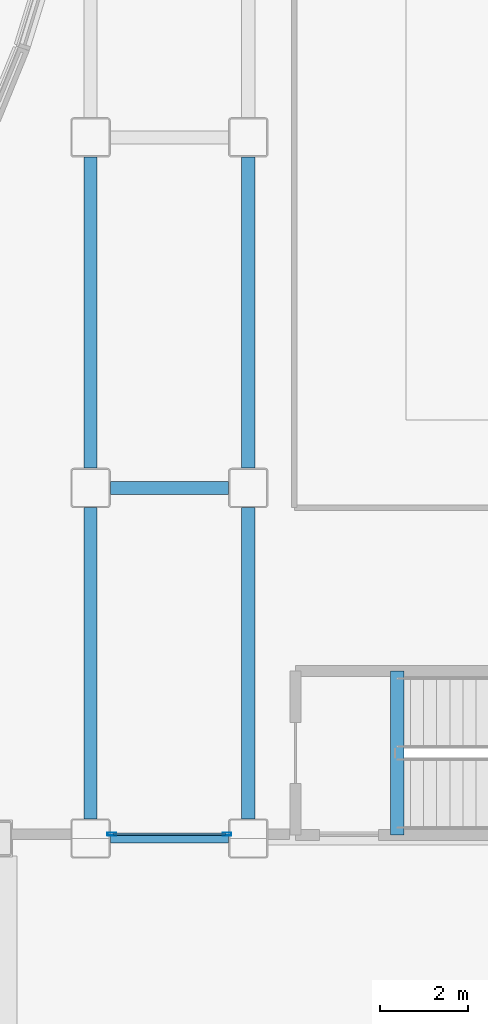
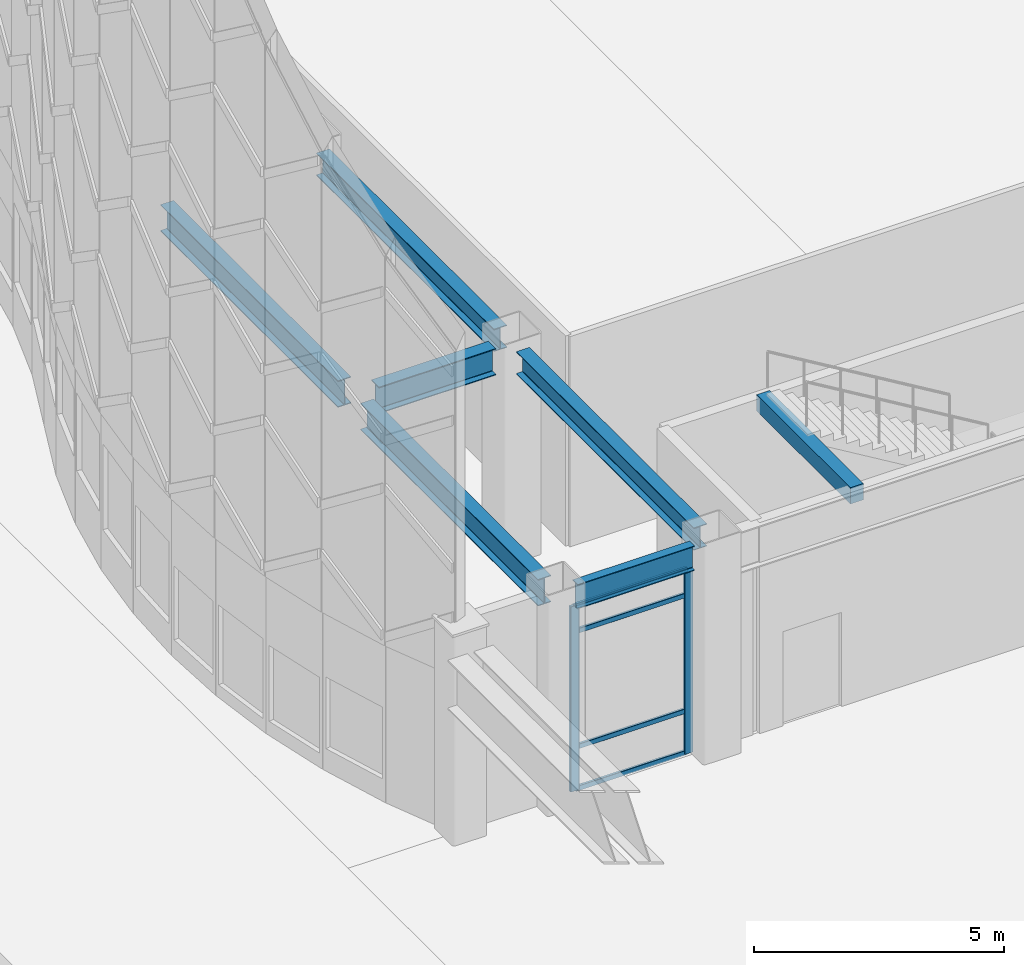
# One storey, part 23 of 165: 7 beams, 6 members, 1 element without a shape of its own.
"""IFC4 building model written with IfcOpenShell, lengths in metres."""

from ifc_helpers import new_model, si_unit, direction, frame, origin, origin_2d, place, context, subcontext, project, spatial, rectangle, hollow_rectangle, i_section, extrude, material, layer, layer_set, material_profile, profile_set, type_object, element, aggregate, save


model = new_model("IFC4")

# Units and contexts
model_context = context("Model", 3, precision=1e-05, world=origin(), true_north=direction((0.0, 1.0)))
body_context = subcontext(model_context, "Body", "Model", "MODEL_VIEW")
ifc_project = project(units=[si_unit("LENGTHUNIT", "METRE"), si_unit("AREAUNIT", "SQUARE_METRE"), si_unit("VOLUMEUNIT", "CUBIC_METRE"), si_unit("PLANEANGLEUNIT", "RADIAN"), si_unit("MASSUNIT", "GRAM", prefix="KILO")], contexts=[model_context])

# Site, building, storey
site_placement = place(None, origin())
site = spatial("IfcSite", under=ifc_project, at=site_placement, CompositionType="ELEMENT")
building_placement = place(site_placement, origin())
building = spatial("IfcBuilding", under=site, at=building_placement, Name="Kazehara Bluff Congress Hotel", CompositionType="ELEMENT")
storey_placement = place(building_placement, origin())
storey = spatial("IfcBuildingStorey", under=building, at=storey_placement, Name="L00", CompositionType="ELEMENT", Elevation=0.0)

# Curtain wall, members
ifc_material_1 = material(Name="Anodised aluminium", Category="aluminium")
ifc_layer = layer(ifc_material_1, 0.159912109375)
ifc_layer_set = layer_set([ifc_layer], Name="Anodised aluminium")
curtain_wall_type = type_object("IfcCurtainWallType", Name="TP-CW-95", PredefinedType="NOTDEFINED", material=ifc_layer_set)
curtain_wall_placement = place(storey_placement, origin())
curtain_wall = element("IfcCurtainWall", 1, at=curtain_wall_placement, inside=storey, type_object=curtain_wall_type, Name="L00 curtain wall CW-95 CW-ENC-V1-L00-660-4855", PredefinedType="NOTDEFINED")
ifc_material_2 = material(Name="Anodised aluminium", Category="aluminium")
ifc_material_profile_1 = material_profile(ifc_material_2, hollow_rectangle(XDim=0.070068359375, YDim=0.199951171875, WallThickness=0.0048828125, InnerFilletRadius=0.0048828125, OuterFilletRadius=0.010009765625, at=origin_2d()))
ifc_profile_set_1 = profile_set([ifc_material_profile_1], Name="Anodised aluminium")
member_type_1 = type_object("IfcMemberType", Name="TP-CWM-03", PredefinedType="MULLION", material=ifc_profile_set_1)
member_1_placement = place(storey_placement, frame((7.9150390625, 48.550048828125, 0.0), z_axis=(0.0, 0.0, 1.0), x_axis=(0.0, -1.0, 0.0)))
member_1 = element("IfcMember", 2, at=member_1_placement, type_object=member_type_1, Name="CW-95 mullion 1", PredefinedType="MULLION", context=body_context, shape_type="SweptSolid", body=[
    extrude(hollow_rectangle(XDim=0.070068359375, YDim=0.199951171875, WallThickness=0.0048828125, InnerFilletRadius=0.0048828125, OuterFilletRadius=0.010009765625, at=origin_2d()), origin(), (0.0, 0.0, 1.0), 4.52490234375),
])
member_2_placement = place(storey_placement, frame((5.284912109375, 48.550048828125, 0.0), z_axis=(0.0, 0.0, 1.0), x_axis=(0.0, -1.0, 0.0)))
member_2 = element("IfcMember", 3, at=member_2_placement, type_object=member_type_1, Name="CW-95 mullion 2", PredefinedType="MULLION", context=body_context, shape_type="SweptSolid", body=[
    extrude(hollow_rectangle(XDim=0.070068359375, YDim=0.199951171875, WallThickness=0.0048828125, InnerFilletRadius=0.0048828125, OuterFilletRadius=0.010009765625, at=origin_2d()), origin(), (0.0, 0.0, 1.0), 4.52490234375),
])
ifc_material_3 = material(Name="Anodised aluminium", Category="aluminium")
ifc_material_profile_2 = material_profile(ifc_material_3, hollow_rectangle(XDim=0.06005859375, YDim=0.1201171875, WallThickness=0.00390625, InnerFilletRadius=0.00390625, OuterFilletRadius=0.008056640625, at=origin_2d()))
ifc_profile_set_2 = profile_set([ifc_material_profile_2], Name="Anodised aluminium")
member_type_2 = type_object("IfcMemberType", Name="TP-CWT-01", PredefinedType="USERDEFINED", material=ifc_profile_set_2)
member_3_placement = place(storey_placement, frame((7.8798828125, 48.550048828125, 0.030029296875), z_axis=(-1.0, 0.0, 0.0), x_axis=(0.0, -1.0, 0.0)))
member_3 = element("IfcMember", 4, at=member_3_placement, type_object=member_type_2, Name="CW-95 transom 1.1", ObjectType="TRANSOM", PredefinedType="USERDEFINED", context=body_context, shape_type="SweptSolid", body=[
    extrude(hollow_rectangle(XDim=0.06005859375, YDim=0.1201171875, WallThickness=0.00390625, InnerFilletRadius=0.00390625, OuterFilletRadius=0.008056640625, at=origin_2d()), origin(), (0.0, 0.0, 1.0), 2.559814453125),
])
member_4_placement = place(storey_placement, frame((7.8798828125, 48.550048828125, 1.050048828125), z_axis=(-1.0, 0.0, 0.0), x_axis=(0.0, -1.0, 0.0)))
member_4 = element("IfcMember", 5, at=member_4_placement, type_object=member_type_2, Name="CW-95 transom 1.2", ObjectType="TRANSOM", PredefinedType="USERDEFINED", context=body_context, shape_type="SweptSolid", body=[
    extrude(hollow_rectangle(XDim=0.06005859375, YDim=0.1201171875, WallThickness=0.00390625, InnerFilletRadius=0.00390625, OuterFilletRadius=0.008056640625, at=origin_2d()), origin(), (0.0, 0.0, 1.0), 2.559814453125),
])
member_5_placement = place(storey_placement, frame((7.8798828125, 48.550048828125, 3.875), z_axis=(-1.0, 0.0, 0.0), x_axis=(0.0, -1.0, 0.0)))
member_5 = element("IfcMember", 6, at=member_5_placement, type_object=member_type_2, Name="CW-95 transom 1.3", ObjectType="TRANSOM", PredefinedType="USERDEFINED", context=body_context, shape_type="SweptSolid", body=[
    extrude(hollow_rectangle(XDim=0.06005859375, YDim=0.1201171875, WallThickness=0.00390625, InnerFilletRadius=0.00390625, OuterFilletRadius=0.008056640625, at=origin_2d()), origin(), (0.0, 0.0, 1.0), 2.559814453125),
])
member_6_placement = place(storey_placement, frame((7.8798828125, 48.550048828125, 4.4951171875), z_axis=(-1.0, 0.0, 0.0), x_axis=(0.0, -1.0, 0.0)))
member_6 = element("IfcMember", 7, at=member_6_placement, type_object=member_type_2, Name="CW-95 transom 1.4", ObjectType="TRANSOM", PredefinedType="USERDEFINED", context=body_context, shape_type="SweptSolid", body=[
    extrude(hollow_rectangle(XDim=0.06005859375, YDim=0.1201171875, WallThickness=0.00390625, InnerFilletRadius=0.00390625, OuterFilletRadius=0.008056640625, at=origin_2d()), origin(), (0.0, 0.0, 1.0), 2.559814453125),
])
aggregate(curtain_wall, [member_1, member_2, member_3, member_4, member_5, member_6])

# Beams
ifc_material_4 = material(Name="Steel SN490B", Category="steel")
ifc_material_profile_3 = material_profile(ifc_material_4, i_section(OverallWidth=0.300048828125, OverallDepth=0.64990234375, WebThickness=0.011962890625, FlangeThickness=0.02001953125, FilletRadius=0.012939453125, at=origin_2d()))
ifc_profile_set_3 = profile_set([ifc_material_profile_3], Name="Steel SN490B")
beam_type_1 = type_object("IfcBeamType", Name="TP-G-03", PredefinedType="BEAM", material=ifc_profile_set_3)
for number, where, z_axis, x_axis, name in (
    (8, (4.800048828125, 48.89990234375, 4.824951171875), (0.0, 1.0, 0.0), (-1.0, 0.0, 0.0), "L00 girder G-03 1"),
    (9, (4.800048828125, 56.89990234375, 4.824951171875), (0.0, 1.0, 0.0), (-1.0, 0.0, 0.0), "L00 girder G-03 2"),
):
    element("IfcBeam", number, at=place(storey_placement, frame(where, z_axis=z_axis, x_axis=x_axis)), inside=storey, type_object=beam_type_1, Name=name, PredefinedType="BEAM", context=body_context, shape_type="SweptSolid", body=[
        extrude(i_section(OverallWidth=0.300048828125, OverallDepth=0.64990234375, WebThickness=0.011962890625, FlangeThickness=0.02001953125, FilletRadius=0.012939453125, at=origin_2d()), origin(), (0.0, 0.0, 1.0), 7.10009765625),
    ])
beam_1_placement = place(storey_placement, frame((5.25, 56.449951171875, 4.824951171875), z_axis=(1.0, 0.0, 0.0), x_axis=(0.0, 1.0, 0.0)))
element("IfcBeam", 10, at=beam_1_placement, inside=storey, type_object=beam_type_1, Name="L00 girder G-03 31", PredefinedType="BEAM", context=body_context, shape_type="SweptSolid", body=[
    extrude(i_section(OverallWidth=0.300048828125, OverallDepth=0.64990234375, WebThickness=0.011962890625, FlangeThickness=0.02001953125, FilletRadius=0.012939453125, at=origin_2d()), origin(), (0.0, 0.0, 1.0), 2.699951171875),
])
ifc_material_5 = material(Name="Concrete C40/50", Category="concrete")
ifc_material_profile_4 = material_profile(ifc_material_5, rectangle(XDim=0.300048828125, YDim=0.39990234375, at=origin_2d()))
ifc_profile_set_4 = profile_set([ifc_material_profile_4], Name="Concrete C40/50")
beam_type_2 = type_object("IfcBeamType", Name="TP-LN-02", PredefinedType="LINTEL", material=ifc_profile_set_4)
beam_2_placement = place(storey_placement, frame((11.800048828125, 48.52490234375, 4.969970703125), z_axis=(0.0, 1.0, 0.0), x_axis=(-1.0, 0.0, 0.0)))
element("IfcBeam", 11, at=beam_2_placement, inside=storey, type_object=beam_type_2, Name="L01 ST-03 stairwell trimmer beam", PredefinedType="LINTEL", context=body_context, shape_type="SweptSolid", body=[
    extrude(rectangle(XDim=0.300048828125, YDim=0.39990234375, at=origin_2d()), origin(), (0.0, 0.0, 1.0), 3.75),
])
ifc_material_6 = material(Name="Steel SN490B", Category="steel")
ifc_material_profile_5 = material_profile(ifc_material_6, i_section(OverallWidth=0.300048828125, OverallDepth=0.550048828125, WebThickness=0.010986328125, FlangeThickness=0.01806640625, FilletRadius=0.012939453125, at=origin_2d()))
ifc_profile_set_5 = profile_set([ifc_material_profile_5], Name="Steel SN490B")
beam_type_3 = type_object("IfcBeamType", Name="TP-SP-01", PredefinedType="SPANDREL", material=ifc_profile_set_5)
for number, where, z_axis, x_axis, name in (
    (12, (8.39990234375, 48.89990234375, 4.875), (0.0, 1.0, 0.0), (-1.0, 0.0, 0.0), "L00 girder SP-01 9"),
    (13, (8.39990234375, 56.89990234375, 4.875), (0.0, 1.0, 0.0), (-1.0, 0.0, 0.0), "L00 girder SP-01 10"),
):
    element("IfcBeam", number, at=place(storey_placement, frame(where, z_axis=z_axis, x_axis=x_axis)), inside=storey, type_object=beam_type_3, Name=name, PredefinedType="SPANDREL", context=body_context, shape_type="SweptSolid", body=[
        extrude(i_section(OverallWidth=0.300048828125, OverallDepth=0.550048828125, WebThickness=0.010986328125, FlangeThickness=0.01806640625, FilletRadius=0.012939453125, at=origin_2d()), origin(), (0.0, 0.0, 1.0), 7.10009765625),
    ])
ifc_material_7 = material(Name="Steel SN490B", Category="steel")
ifc_material_profile_6 = material_profile(ifc_material_7, i_section(OverallWidth=0.199951171875, OverallDepth=0.60009765625, WebThickness=0.010986328125, FlangeThickness=0.01708984375, FilletRadius=0.012939453125, at=origin_2d()))
ifc_profile_set_6 = profile_set([ifc_material_profile_6], Name="Steel SN490B")
beam_type_4 = type_object("IfcBeamType", Name="TP-SP-02", PredefinedType="SPANDREL", material=ifc_profile_set_6)
beam_3_placement = place(storey_placement, frame((5.25, 48.449951171875, 4.85009765625), z_axis=(1.0, 0.0, 0.0), x_axis=(0.0, 1.0, 0.0)))
element("IfcBeam", 14, at=beam_3_placement, inside=storey, type_object=beam_type_4, Name="L00 girder SP-02 25", PredefinedType="SPANDREL", context=body_context, shape_type="SweptSolid", body=[
    extrude(i_section(OverallWidth=0.199951171875, OverallDepth=0.60009765625, WebThickness=0.010986328125, FlangeThickness=0.01708984375, FilletRadius=0.012939453125, at=origin_2d()), origin(), (0.0, 0.0, 1.0), 2.699951171875),
])

save(model, "model.ifc")
